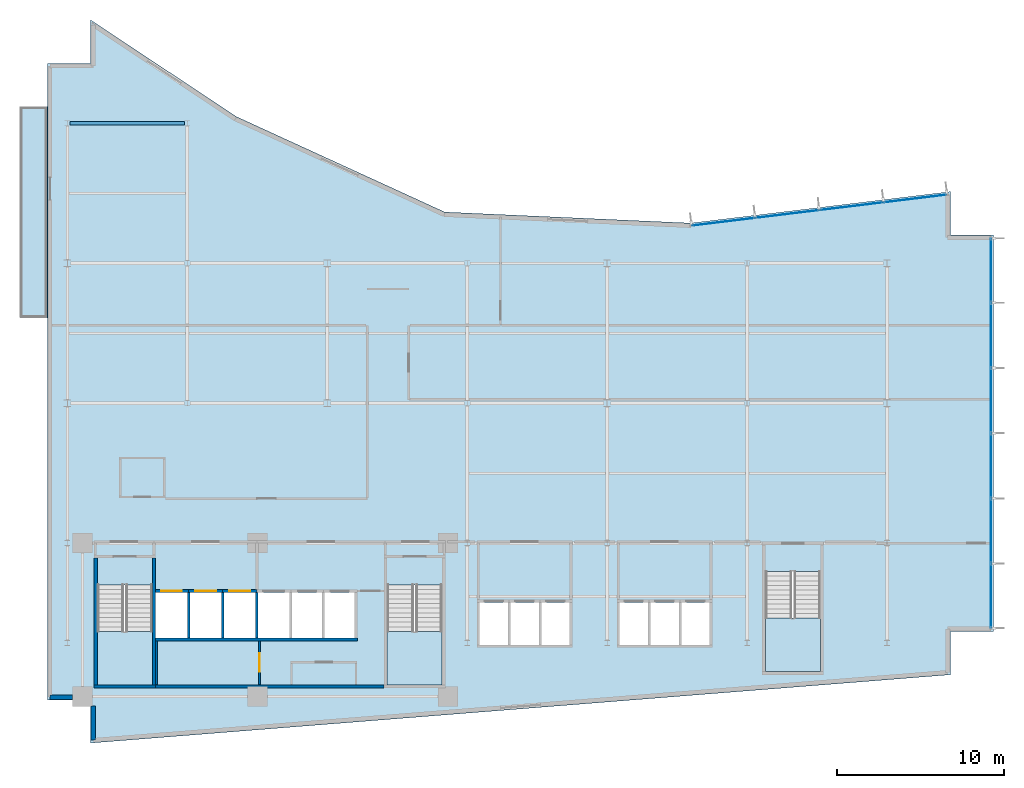
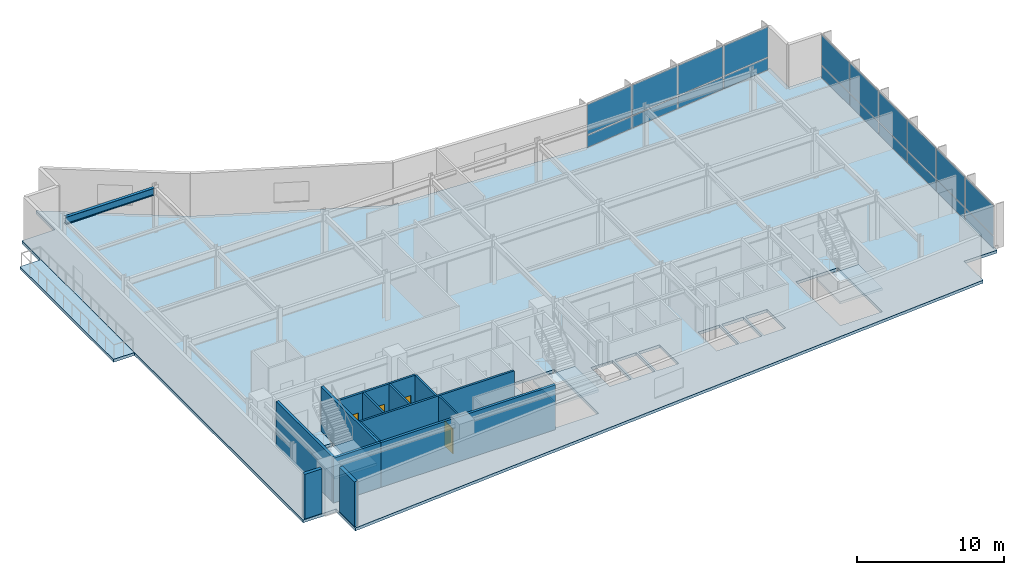
# One storey, part 9 of 17: 20 plates, 15 walls, 5 slabs, 4 doors, 1 beam, 4 openings, 5 elements without a shape of their own.
"""IFC4 building model written with IfcOpenShell, lengths in metres."""

from ifc_helpers import new_model, si_unit, direction, frame, frame_2d, origin, origin_2d, place, context, subcontext, project, spatial, polyline, rectangle, i_section, outline, extrude, material, layer, layer_set, material_profile, profile_set, type_object, element, fill, aggregate, save


model = new_model("IFC4")

# Units and contexts
model_context = context("Model", 3, precision=1e-05, world=origin(), true_north=direction((0.0, 1.0)))
body_context = subcontext(model_context, "Body", "Model", "MODEL_VIEW")
ifc_project = project(units=[si_unit("LENGTHUNIT", "METRE"), si_unit("AREAUNIT", "SQUARE_METRE"), si_unit("VOLUMEUNIT", "CUBIC_METRE"), si_unit("PLANEANGLEUNIT", "RADIAN"), si_unit("MASSUNIT", "GRAM", prefix="KILO")], contexts=[model_context])

# Site, building, storey
site_placement = place(None, origin())
site = spatial("IfcSite", under=ifc_project, at=site_placement, CompositionType="ELEMENT")
building_placement = place(site_placement, origin())
building = spatial("IfcBuilding", under=site, at=building_placement, Name="Varnakote Quay Hospital", CompositionType="ELEMENT")
storey_placement = place(building_placement, frame((0.0, 0.0, 103.35009765625)))
storey = spatial("IfcBuildingStorey", under=building, at=storey_placement, Name="L25", CompositionType="ELEMENT", Elevation=103.35009765625)

# Beam
ifc_material_1 = material(Name="Structural steel AS/NZS 3679.1 Grade 350 L0 (fy 340 MPa)", Category="steel")
ifc_material_profile = material_profile(ifc_material_1, i_section(OverallWidth=0.22802734375, OverallDepth=0.60205078125, WebThickness=0.010498046875, FlangeThickness=0.014892578125, FilletRadius=0.013916015625, at=origin_2d()), Name="610UB101")
ifc_profile_set = profile_set([ifc_material_profile], Name="Structural steel AS/NZS 3679.1 Grade 350 L0 (fy 340 MPa)")
beam_type = type_object("IfcBeamType", Name="BM-STL-610UB101", PredefinedType="BEAM", material=ifc_profile_set)
beam_placement = place(storey_placement, frame((1.3544921875, 37.199951171875, 3.408935546875), z_axis=(1.0, 0.0, 0.0), x_axis=(0.0, 1.0, 0.0)))
element("IfcBeam", 1, at=beam_placement, inside=storey, type_object=beam_type, Name="L25 Primary Floor Beam", PredefinedType="BEAM", context=body_context, shape_type="SweptSolid", body=[
    extrude(i_section(OverallWidth=0.22802734375, OverallDepth=0.60205078125, WebThickness=0.010498046875, FlangeThickness=0.014892578125, FilletRadius=0.013916015625, at=origin_2d()), origin(), (0.0, 0.0, 1.0), 6.89111328125),
])

# Curtain wall, plates
ifc_material_2 = material(Name="Anodised aluminium 6063-T6 Bronze", Category="aluminium")
ifc_layer_1 = layer(ifc_material_2, 0.205078125)
ifc_layer_set_1 = layer_set([ifc_layer_1], Name="Anodised aluminium 6063-T6 Bronze")
curtain_wall_type = type_object("IfcCurtainWallType", Name="CW-SYS-3", PredefinedType="NOTDEFINED", material=ifc_layer_set_1)
curtain_wall_1_placement = place(storey_placement, origin())
curtain_wall_1 = element("IfcCurtainWall", 2, at=curtain_wall_1_placement, inside=storey, type_object=curtain_wall_type, Name="L25 Unitised Bronze Curtain Wall 1", PredefinedType="NOTDEFINED")
ifc_material_3 = material(Name="Double-glazed low-E solar glass", Category="glass")
ifc_layer_2 = layer(ifc_material_3, 0.028076171875)
ifc_layer_set_2 = layer_set([ifc_layer_2], Name="Double-glazed low-E solar glass")
plate_type = type_object("IfcPlateType", Name="CW-PNL-GLZ-28", PredefinedType="CURTAIN_PANEL", material=ifc_layer_set_2)
plate_1_placement = place(storey_placement, frame((56.639892578125, 8.83544921875, 0.07470703125), z_axis=(0.0, 0.0, 1.0), x_axis=(0.0, 1.0, 0.0)))
plate_1 = element("IfcPlate", 3, at=plate_1_placement, type_object=plate_type, Name="-3-L25-1 panel 1.1", PredefinedType="CURTAIN_PANEL", context=body_context, shape_type="SweptSolid", body=[
    extrude(rectangle(XDim=3.80078125, YDim=0.028076171875, at=origin_2d()), origin(), (0.0, 0.0, 1.0), 0.987548828125),
])
plate_2_placement = place(storey_placement, frame((56.639892578125, 8.83544921875, 1.137451171875), z_axis=(0.0, 0.0, 1.0), x_axis=(0.0, 1.0, 0.0)))
plate_2 = element("IfcPlate", 4, at=plate_2_placement, type_object=plate_type, Name="-3-L25-1 panel 1.2", PredefinedType="CURTAIN_PANEL", context=body_context, shape_type="SweptSolid", body=[
    extrude(rectangle(XDim=3.80078125, YDim=0.028076171875, at=origin_2d()), origin(), (0.0, 0.0, 1.0), 2.49755859375),
])
plate_3_placement = place(storey_placement, frame((56.639892578125, 12.72998046875, 0.07470703125), z_axis=(0.0, 0.0, 1.0), x_axis=(0.0, 1.0, 0.0)))
plate_3 = element("IfcPlate", 5, at=plate_3_placement, type_object=plate_type, Name="-3-L25-1 panel 2.1", PredefinedType="CURTAIN_PANEL", context=body_context, shape_type="SweptSolid", body=[
    extrude(rectangle(XDim=3.83837890625, YDim=0.028076171875, at=origin_2d()), origin(), (0.0, 0.0, 1.0), 0.987548828125),
])
plate_4_placement = place(storey_placement, frame((56.639892578125, 12.72998046875, 1.137451171875), z_axis=(0.0, 0.0, 1.0), x_axis=(0.0, 1.0, 0.0)))
plate_4 = element("IfcPlate", 6, at=plate_4_placement, type_object=plate_type, Name="-3-L25-1 panel 2.2", PredefinedType="CURTAIN_PANEL", context=body_context, shape_type="SweptSolid", body=[
    extrude(rectangle(XDim=3.83837890625, YDim=0.028076171875, at=origin_2d()), origin(), (0.0, 0.0, 1.0), 2.49755859375),
])
plate_5_placement = place(storey_placement, frame((56.639892578125, 16.643310546875, 0.07470703125), z_axis=(0.0, 0.0, 1.0), x_axis=(0.0, 1.0, 0.0)))
plate_5 = element("IfcPlate", 7, at=plate_5_placement, type_object=plate_type, Name="-3-L25-1 panel 3.1", PredefinedType="CURTAIN_PANEL", context=body_context, shape_type="SweptSolid", body=[
    extrude(rectangle(XDim=3.83837890625, YDim=0.028076171875, at=origin_2d()), origin(), (0.0, 0.0, 1.0), 0.987548828125),
])
plate_6_placement = place(storey_placement, frame((56.639892578125, 16.643310546875, 1.137451171875), z_axis=(0.0, 0.0, 1.0), x_axis=(0.0, 1.0, 0.0)))
plate_6 = element("IfcPlate", 8, at=plate_6_placement, type_object=plate_type, Name="-3-L25-1 panel 3.2", PredefinedType="CURTAIN_PANEL", context=body_context, shape_type="SweptSolid", body=[
    extrude(rectangle(XDim=3.83837890625, YDim=0.028076171875, at=origin_2d()), origin(), (0.0, 0.0, 1.0), 2.49755859375),
])
plate_7_placement = place(storey_placement, frame((56.639892578125, 20.556640625, 0.07470703125), z_axis=(0.0, 0.0, 1.0), x_axis=(0.0, 1.0, 0.0)))
plate_7 = element("IfcPlate", 9, at=plate_7_placement, type_object=plate_type, Name="-3-L25-1 panel 4.1", PredefinedType="CURTAIN_PANEL", context=body_context, shape_type="SweptSolid", body=[
    extrude(rectangle(XDim=3.83837890625, YDim=0.028076171875, at=origin_2d()), origin(), (0.0, 0.0, 1.0), 0.987548828125),
])
plate_8_placement = place(storey_placement, frame((56.639892578125, 20.556640625, 1.137451171875), z_axis=(0.0, 0.0, 1.0), x_axis=(0.0, 1.0, 0.0)))
plate_8 = element("IfcPlate", 10, at=plate_8_placement, type_object=plate_type, Name="-3-L25-1 panel 4.2", PredefinedType="CURTAIN_PANEL", context=body_context, shape_type="SweptSolid", body=[
    extrude(rectangle(XDim=3.83837890625, YDim=0.028076171875, at=origin_2d()), origin(), (0.0, 0.0, 1.0), 2.49755859375),
])
plate_9_placement = place(storey_placement, frame((56.639892578125, 24.469970703125, 0.07470703125), z_axis=(0.0, 0.0, 1.0), x_axis=(0.0, 1.0, 0.0)))
plate_9 = element("IfcPlate", 11, at=plate_9_placement, type_object=plate_type, Name="-3-L25-1 panel 5.1", PredefinedType="CURTAIN_PANEL", context=body_context, shape_type="SweptSolid", body=[
    extrude(rectangle(XDim=3.83837890625, YDim=0.028076171875, at=origin_2d()), origin(), (0.0, 0.0, 1.0), 0.987548828125),
])
plate_10_placement = place(storey_placement, frame((56.639892578125, 24.469970703125, 1.137451171875), z_axis=(0.0, 0.0, 1.0), x_axis=(0.0, 1.0, 0.0)))
plate_10 = element("IfcPlate", 12, at=plate_10_placement, type_object=plate_type, Name="-3-L25-1 panel 5.2", PredefinedType="CURTAIN_PANEL", context=body_context, shape_type="SweptSolid", body=[
    extrude(rectangle(XDim=3.83837890625, YDim=0.028076171875, at=origin_2d()), origin(), (0.0, 0.0, 1.0), 2.49755859375),
])
plate_11_placement = place(storey_placement, frame((56.639892578125, 28.364501953125, 0.07470703125), z_axis=(0.0, 0.0, 1.0), x_axis=(0.0, 1.0, 0.0)))
plate_11 = element("IfcPlate", 13, at=plate_11_placement, type_object=plate_type, Name="-3-L25-1 panel 6.1", PredefinedType="CURTAIN_PANEL", context=body_context, shape_type="SweptSolid", body=[
    extrude(rectangle(XDim=3.80078125, YDim=0.028076171875, at=origin_2d()), origin(), (0.0, 0.0, 1.0), 0.987548828125),
])
plate_12_placement = place(storey_placement, frame((56.639892578125, 28.364501953125, 1.137451171875), z_axis=(0.0, 0.0, 1.0), x_axis=(0.0, 1.0, 0.0)))
plate_12 = element("IfcPlate", 14, at=plate_12_placement, type_object=plate_type, Name="-3-L25-1 panel 6.2", PredefinedType="CURTAIN_PANEL", context=body_context, shape_type="SweptSolid", body=[
    extrude(rectangle(XDim=3.80078125, YDim=0.028076171875, at=origin_2d()), origin(), (0.0, 0.0, 1.0), 2.49755859375),
])
aggregate(curtain_wall_1, [plate_1, plate_2, plate_3, plate_4, plate_5, plate_6, plate_7, plate_8, plate_9, plate_10, plate_11, plate_12])

curtain_wall_2_placement = place(storey_placement, origin())
curtain_wall_2 = element("IfcCurtainWall", 15, at=curtain_wall_2_placement, inside=storey, type_object=curtain_wall_type, Name="L25 Unitised Bronze Curtain Wall 2", PredefinedType="NOTDEFINED")
plate_13_placement = place(storey_placement, frame((52.09521484375, 32.68359375, 0.07470703125), z_axis=(0.0, 0.0, 1.0), x_axis=(-0.992734295067, -0.12032713492, 0.0)))
plate_13 = element("IfcPlate", 16, at=plate_13_placement, type_object=plate_type, Name="-3-L25-2 panel 1.1", PredefinedType="CURTAIN_PANEL", context=body_context, shape_type="SweptSolid", body=[
    extrude(rectangle(XDim=3.76806640625, YDim=0.028076171875, at=origin_2d()), origin(), (0.0, 0.0, 1.0), 0.987548828125),
])
plate_14_placement = place(storey_placement, frame((52.09521484375, 32.68359375, 1.137451171875), z_axis=(0.0, 0.0, 1.0), x_axis=(-0.992734295067, -0.12032713492, 0.0)))
plate_14 = element("IfcPlate", 17, at=plate_14_placement, type_object=plate_type, Name="-3-L25-2 panel 1.2", PredefinedType="CURTAIN_PANEL", context=body_context, shape_type="SweptSolid", body=[
    extrude(rectangle(XDim=3.76806640625, YDim=0.028076171875, at=origin_2d()), origin(), (0.0, 0.0, 1.0), 2.49755859375),
])
plate_15_placement = place(storey_placement, frame((48.26123046875, 32.218994140625, 0.07470703125), z_axis=(0.0, 0.0, 1.0), x_axis=(-0.992734295067, -0.12032713492, 0.0)))
plate_15 = element("IfcPlate", 18, at=plate_15_placement, type_object=plate_type, Name="-3-L25-2 panel 2.1", PredefinedType="CURTAIN_PANEL", context=body_context, shape_type="SweptSolid", body=[
    extrude(rectangle(XDim=3.8056640625, YDim=0.028076171875, at=origin_2d()), origin(), (0.0, 0.0, 1.0), 0.987548828125),
])
plate_16_placement = place(storey_placement, frame((48.26123046875, 32.218994140625, 1.137451171875), z_axis=(0.0, 0.0, 1.0), x_axis=(-0.992734295067, -0.12032713492, 0.0)))
plate_16 = element("IfcPlate", 19, at=plate_16_placement, type_object=plate_type, Name="-3-L25-2 panel 2.2", PredefinedType="CURTAIN_PANEL", context=body_context, shape_type="SweptSolid", body=[
    extrude(rectangle(XDim=3.8056640625, YDim=0.028076171875, at=origin_2d()), origin(), (0.0, 0.0, 1.0), 2.49755859375),
])
plate_17_placement = place(storey_placement, frame((44.40869140625, 31.751953125, 0.07470703125), z_axis=(0.0, 0.0, 1.0), x_axis=(-0.992734295067, -0.12032713492, 0.0)))
plate_17 = element("IfcPlate", 20, at=plate_17_placement, type_object=plate_type, Name="-3-L25-2 panel 3.1", PredefinedType="CURTAIN_PANEL", context=body_context, shape_type="SweptSolid", body=[
    extrude(rectangle(XDim=3.8056640625, YDim=0.028076171875, at=origin_2d()), origin(), (0.0, 0.0, 1.0), 0.987548828125),
])
plate_18_placement = place(storey_placement, frame((44.40869140625, 31.751953125, 1.137451171875), z_axis=(0.0, 0.0, 1.0), x_axis=(-0.992734295067, -0.12032713492, 0.0)))
plate_18 = element("IfcPlate", 21, at=plate_18_placement, type_object=plate_type, Name="-3-L25-2 panel 3.2", PredefinedType="CURTAIN_PANEL", context=body_context, shape_type="SweptSolid", body=[
    extrude(rectangle(XDim=3.8056640625, YDim=0.028076171875, at=origin_2d()), origin(), (0.0, 0.0, 1.0), 2.49755859375),
])
plate_19_placement = place(storey_placement, frame((40.574951171875, 31.287353515625, 0.07470703125), z_axis=(0.0, 0.0, 1.0), x_axis=(-0.992734295067, -0.12032713492, 0.0)))
plate_19 = element("IfcPlate", 22, at=plate_19_placement, type_object=plate_type, Name="-3-L25-2 panel 4.1", PredefinedType="CURTAIN_PANEL", context=body_context, shape_type="SweptSolid", body=[
    extrude(rectangle(XDim=3.76806640625, YDim=0.028076171875, at=origin_2d()), origin(), (0.0, 0.0, 1.0), 0.987548828125),
])
plate_20_placement = place(storey_placement, frame((40.574951171875, 31.287353515625, 1.137451171875), z_axis=(0.0, 0.0, 1.0), x_axis=(-0.992734295067, -0.12032713492, 0.0)))
plate_20 = element("IfcPlate", 23, at=plate_20_placement, type_object=plate_type, Name="-3-L25-2 panel 4.2", PredefinedType="CURTAIN_PANEL", context=body_context, shape_type="SweptSolid", body=[
    extrude(rectangle(XDim=3.76806640625, YDim=0.028076171875, at=origin_2d()), origin(), (0.0, 0.0, 1.0), 2.49755859375),
])
aggregate(curtain_wall_2, [plate_13, plate_14, plate_15, plate_16, plate_17, plate_18, plate_19, plate_20])

# Stair, slab
ifc_material_4 = material(Name="Concrete N40 (f'c 40 MPa)", Category="concrete")
stair_type = type_object("IfcStairType", Name="STR-CORE-1580", PredefinedType="HALF_TURN_STAIR", material=ifc_material_4)
stair_1_placement = place(storey_placement, origin())
stair_1 = element("IfcStair", 24, at=stair_1_placement, inside=storey, type_object=stair_type, Name="L25 Fire-Isolated Exit Stair ST-01", PredefinedType="HALF_TURN_STAIR")
ifc_material_5 = material(Name="Concrete N40 (f'c 40 MPa)", Category="concrete")
ifc_layer_3 = layer(ifc_material_5, 0.199951171875)
ifc_layer_set_3 = layer_set([ifc_layer_3], Name="Concrete N40 (f'c 40 MPa)")
slab_type_1 = type_object("IfcSlabType", Name="SLB-STAIR-LND-200", PredefinedType="LANDING", material=ifc_layer_set_3)
slab_1_placement = place(storey_placement, frame((0.0, 0.0, 1.77490234375)))
slab_1 = element("IfcSlab", 25, at=slab_1_placement, type_object=slab_type_1, Name="ST-01 landing 1", PredefinedType="LANDING", context=body_context, shape_type="SweptSolid", body=[
    extrude(outline(polyline([(3.0, 6.699951171875), (3.0, 3.5), (6.300048828125, 3.5), (6.300048828125, 6.699951171875), (3.0, 6.699951171875)])), origin(), (0.0, 0.0, 1.0), 0.199951171875),
])
aggregate(stair_1, [slab_1])

stair_2_placement = place(storey_placement, origin())
stair_2 = element("IfcStair", 26, at=stair_2_placement, inside=storey, type_object=stair_type, Name="L25 Fire-Isolated Exit Stair ST-02", PredefinedType="HALF_TURN_STAIR")
slab_2_placement = place(storey_placement, frame((0.0, 0.0, 1.77490234375)))
slab_2 = element("IfcSlab", 27, at=slab_2_placement, type_object=slab_type_1, Name="ST-02 landing 1", PredefinedType="LANDING", context=body_context, shape_type="SweptSolid", body=[
    extrude(outline(polyline([(20.39990234375, 6.699951171875), (20.39990234375, 3.5), (23.699951171875, 3.5), (23.699951171875, 6.699951171875), (20.39990234375, 6.699951171875)])), origin(), (0.0, 0.0, 1.0), 0.199951171875),
])
aggregate(stair_2, [slab_2])

stair_3_placement = place(storey_placement, origin())
stair_3 = element("IfcStair", 28, at=stair_3_placement, inside=storey, type_object=stair_type, Name="L25 Fire-Isolated Exit Stair ST-03", PredefinedType="HALF_TURN_STAIR")
slab_3_placement = place(storey_placement, frame((0.0, 0.0, 1.77490234375)))
slab_3 = element("IfcSlab", 29, at=slab_3_placement, type_object=slab_type_1, Name="ST-03 landing 1", PredefinedType="LANDING", context=body_context, shape_type="SweptSolid", body=[
    extrude(outline(polyline([(43.10009765625, 7.5), (43.10009765625, 4.300048828125), (46.39990234375, 4.300048828125), (46.39990234375, 7.5), (43.10009765625, 7.5)])), origin(), (0.0, 0.0, 1.0), 0.199951171875),
])
aggregate(stair_3, [slab_3])

# Slabs
ifc_material_6 = material(Name="Concrete N50 (f'c 50 MPa)", Category="concrete")
ifc_layer_4 = layer(ifc_material_6, 0.239990234375)
ifc_layer_set_4 = layer_set([ifc_layer_4], Name="Concrete N50 (f'c 50 MPa)")
slab_type_2 = type_object("IfcSlabType", Name="SLB-TERR-200", PredefinedType="FLOOR", material=ifc_layer_set_4)
slab_4_placement = place(storey_placement, frame((0.0, 0.0, -0.239990234375)))
element("IfcSlab", 30, at=slab_4_placement, inside=storey, type_object=slab_type_2, Name="L25 Waterfront Healing Terrace Slab", PredefinedType="FLOOR", context=body_context, shape_type="SweptSolid", body=[
    extrude(outline(polyline([(0.00390625, 25.5), (0.00390625, 38.199951171875), (-1.639892578125, 38.199951171875), (-1.639892578125, 25.5), (0.00390625, 25.5)])), origin(), (0.0, 0.0, 1.0), 0.239990234375),
])
ifc_material_7 = material(Name="Concrete N50 (f'c 50 MPa)", Category="concrete")
ifc_layer_5 = layer(ifc_material_7, 0.239990234375)
ifc_layer_set_5 = layer_set([ifc_layer_5], Name="Concrete N50 (f'c 50 MPa)")
slab_type_3 = type_object("IfcSlabType", Name="SLB-WARD-200", PredefinedType="FLOOR", material=ifc_layer_set_5)
slab_5_placement = place(storey_placement, frame((0.0, 0.0, -0.239990234375)))
element("IfcSlab", 31, at=slab_5_placement, inside=storey, type_object=slab_type_3, Name="L25 Primary Floor Slab", PredefinedType="FLOOR", context=body_context, shape_type="SweptSolid", body=[
    extrude(outline(polyline([(0.0, 2.60009765625), (2.60009765625, 2.60009765625), (2.60009765625, 0.0), (54.199951171875, 4.10009765625), (54.199951171875, 6.699951171875), (56.800048828125, 6.699951171875), (56.800048828125, 30.5), (54.199951171875, 30.5), (54.199951171875, 33.10009765625), (38.6240234375, 31.2119140625), (23.85595703125, 31.8740234375), (11.360107421875, 37.595947265625), (2.60009765625, 43.39990234375), (2.60009765625, 40.800048828125), (0.0, 40.800048828125), (0.0, 2.60009765625)]), holes=[polyline([(3.0, 3.5), (6.300048828125, 3.5), (6.300048828125, 9.49951171875), (3.0, 9.49951171875), (3.0, 3.5)]), polyline([(20.39990234375, 3.5), (23.699951171875, 3.5), (23.699951171875, 9.49951171875), (20.39990234375, 9.49951171875), (20.39990234375, 3.5)]), polyline([(43.10009765625, 4.300048828125), (46.39990234375, 4.300048828125), (46.39990234375, 10.29931640625), (43.10009765625, 10.29931640625), (43.10009765625, 4.300048828125)]), polyline([(6.5, 6.300048828125), (8.39990234375, 6.300048828125), (8.39990234375, 9.050048828125), (6.5, 9.050048828125), (6.5, 6.300048828125)]), polyline([(8.550048828125, 6.300048828125), (10.449951171875, 6.300048828125), (10.449951171875, 9.050048828125), (8.550048828125, 9.050048828125), (8.550048828125, 6.300048828125)]), polyline([(10.60009765625, 6.300048828125), (12.5, 6.300048828125), (12.5, 9.050048828125), (10.60009765625, 9.050048828125), (10.60009765625, 6.300048828125)]), polyline([(12.64990234375, 6.300048828125), (14.550048828125, 6.300048828125), (14.550048828125, 9.050048828125), (12.64990234375, 9.050048828125), (12.64990234375, 6.300048828125)]), polyline([(14.699951171875, 6.300048828125), (16.5, 6.300048828125), (16.5, 9.050048828125), (14.699951171875, 9.050048828125), (14.699951171875, 6.300048828125)]), polyline([(16.64990234375, 6.300048828125), (18.449951171875, 6.300048828125), (18.449951171875, 9.050048828125), (16.64990234375, 9.050048828125), (16.64990234375, 6.300048828125)]), polyline([(25.949951171875, 5.89990234375), (27.64990234375, 5.89990234375), (27.64990234375, 8.449951171875), (25.949951171875, 8.449951171875), (25.949951171875, 5.89990234375)]), polyline([(27.800048828125, 5.89990234375), (29.5, 5.89990234375), (29.5, 8.449951171875), (27.800048828125, 8.449951171875), (27.800048828125, 5.89990234375)]), polyline([(29.64990234375, 5.89990234375), (31.35009765625, 5.89990234375), (31.35009765625, 8.449951171875), (29.64990234375, 8.449951171875), (29.64990234375, 5.89990234375)]), polyline([(34.35009765625, 5.89990234375), (36.050048828125, 5.89990234375), (36.050048828125, 8.449951171875), (34.35009765625, 8.449951171875), (34.35009765625, 5.89990234375)]), polyline([(36.199951171875, 5.89990234375), (37.89990234375, 5.89990234375), (37.89990234375, 8.449951171875), (36.199951171875, 8.449951171875), (36.199951171875, 5.89990234375)]), polyline([(38.050048828125, 5.89990234375), (39.75, 5.89990234375), (39.75, 8.449951171875), (38.050048828125, 8.449951171875), (38.050048828125, 5.89990234375)])]), origin(), (0.0, 0.0, 1.0), 0.239990234375),
])

# Walls
ifc_material_8 = material(Name="Concrete N65 (f'c 65 MPa)", Category="concrete")
ifc_layer_6 = layer(ifc_material_8, 0.199951171875)
ifc_layer_set_6 = layer_set([ifc_layer_6], Name="Concrete N65 (f'c 65 MPa)")
wall_type_1 = type_object("IfcWallType", Name="WL-CORE-N65-200", PredefinedType="SHEAR", material=ifc_layer_set_6)
wall_1_placement = place(storey_placement, frame((6.5, 3.39990234375, 0.0), z_axis=(0.0, 0.0, 1.0), x_axis=(1.0, 0.0, 0.0)))
element("IfcWall", 32, at=wall_1_placement, inside=storey, type_object=wall_type_1, Name="L25 Rear Core South Shear Wall", PredefinedType="SHEAR", context=body_context, shape_type="SweptSolid", body=[
    extrude(rectangle(XDim=13.699951171875, YDim=0.199951171875, at=frame_2d((6.85009765625, 0.0))), origin(), (0.0, 0.0, 1.0), 3.7099609375),
])
ifc_material_9 = material(Name="Precast concrete N50 (f'c 50 MPa)", Category="concrete")
ifc_layer_7 = layer(ifc_material_9, 0.260009765625)
ifc_layer_set_7 = layer_set([ifc_layer_7], Name="Precast concrete N50 (f'c 50 MPa)")
wall_type_2 = type_object("IfcWallType", Name="WL-EXT-BRICK-260", PredefinedType="STANDARD", material=ifc_layer_set_7)
wall_2_placement = place(storey_placement, frame((2.760009765625, 2.215087890625, 0.0), z_axis=(0.0, 0.0, 1.0), x_axis=(0.0, -1.0, 0.0)))
element("IfcWall", 33, at=wall_2_placement, inside=storey, type_object=wall_type_2, Name="L25 Brick-Faced Precast Exterior Wall", PredefinedType="STANDARD", context=body_context, shape_type="SweptSolid", body=[
    extrude(rectangle(XDim=2.0419921875, YDim=0.260009765625, at=frame_2d((1.02099609375, 0.0))), origin(), (0.0, 0.0, 1.0), 3.7099609375),
])
wall_3_placement = place(storey_placement, frame((0.159912109375, 2.760009765625, 0.0), z_axis=(0.0, 0.0, 1.0), x_axis=(1.0, 0.0, 0.0)))
element("IfcWall", 34, at=wall_3_placement, inside=storey, type_object=wall_type_2, Name="L25 Brick-Faced Precast Exterior Wall", PredefinedType="STANDARD", context=body_context, shape_type="SweptSolid", body=[
    extrude(rectangle(XDim=1.35498046875, YDim=0.260009765625, at=frame_2d((0.677490234375, 0.0))), origin(), (0.0, 0.0, 1.0), 3.7099609375),
])
ifc_material_10 = material(Name="Concrete N50 (f'c 50 MPa)", Category="concrete")
ifc_layer_8 = layer(ifc_material_10, 0.14990234375)
ifc_layer_set_8 = layer_set([ifc_layer_8], Name="Concrete N50 (f'c 50 MPa)")
wall_type_3 = type_object("IfcWallType", Name="WL-SHAFT-N50-150", PredefinedType="SHEAR", material=ifc_layer_set_8)
for number, where, z_axis, x_axis, name in (
    (35, (8.47509765625, 6.300048828125, 0.0), (0.0, 0.0, 1.0), (0.0, 1.0, 0.0), "L25 LF-FF1 Hoistway Divider Wall"),
    (36, (10.52490234375, 6.300048828125, 0.0), (0.0, 0.0, 1.0), (0.0, 1.0, 0.0), "L25 LF-FF2 Hoistway Divider Wall"),
    (37, (12.574951171875, 6.300048828125, 0.0), (0.0, 0.0, 1.0), (0.0, 1.0, 0.0), "L25 LF-SV1 Hoistway Divider Wall"),
):
    element("IfcWall", number, at=place(storey_placement, frame(where, z_axis=z_axis, x_axis=x_axis)), inside=storey, type_object=wall_type_3, Name=name, PredefinedType="SHEAR", context=body_context, shape_type="SweptSolid", body=[
        extrude(rectangle(XDim=2.75, YDim=0.14990234375, at=frame_2d((1.375, 0.0))), origin(), (0.0, 0.0, 1.0), 3.7099609375),
    ])
ifc_material_11 = material(Name="Concrete N50 (f'c 50 MPa)", Category="concrete")
ifc_layer_9 = layer(ifc_material_11, 0.159912109375)
ifc_layer_set_9 = layer_set([ifc_layer_9], Name="Concrete N50 (f'c 50 MPa)")
wall_type_4 = type_object("IfcWallType", Name="WL-SHAFT-N50-160", PredefinedType="SHEAR", material=ifc_layer_set_9)
wall_4_placement = place(storey_placement, frame((6.5, 6.219970703125, 0.0), z_axis=(0.0, 0.0, 1.0), x_axis=(1.0, 0.0, 0.0)))
element("IfcWall", 38, at=wall_4_placement, inside=storey, type_object=wall_type_4, Name="L25 REAR Lift Bank Back Shear Wall", PredefinedType="SHEAR", context=body_context, shape_type="SweptSolid", body=[
    extrude(rectangle(XDim=12.110107421875, YDim=0.159912109375, at=frame_2d((6.05517578125, 0.0))), origin(), (0.0, 0.0, 1.0), 3.7099609375),
])

# Wall, opening, door
wall_5_placement = place(storey_placement, frame((6.5, 9.1298828125, 0.0), z_axis=(0.0, 0.0, 1.0), x_axis=(1.0, 0.0, 0.0)))
wall_5 = element("IfcWall", 39, at=wall_5_placement, inside=storey, type_object=wall_type_4, Name="L25 LF-FF1 Hoistway Front Wall", PredefinedType="SHEAR", context=body_context, shape_type="SweptSolid", body=[
    extrude(rectangle(XDim=1.97509765625, YDim=0.159912109375, at=frame_2d((0.987548828125, 0.0))), origin(), (0.0, 0.0, 1.0), 3.7099609375),
])
opening_1_placement = place(wall_5_placement, frame((0.324951171875, 0.0, 0.0)))
opening_1 = element("IfcOpeningElement", 40, at=opening_1_placement, cuts=wall_5, Name="Opening LD-FF1-L25", PredefinedType="OPENING", context=body_context, shape_type="SweptSolid", body=[
    extrude(rectangle(XDim=1.25, YDim=2.14990234375, at=frame_2d((0.625, 1.074951171875))), frame((0.0, 0.08984375, 0.0), z_axis=(0.0, -1.0, 0.0), x_axis=(1.0, 0.0, 0.0)), (0.0, 0.0, 1.0), 0.179931640625),
])
ifc_material_12 = material(Name="Stainless steel lift landing sliding door", Category="steel")
door_type_1 = type_object("IfcDoorType", Name="DR-LIFT-LD-1250x2150", OperationType="NOTDEFINED", PredefinedType="DOOR", material=ifc_material_12)
door_1_placement = place(opening_1_placement, origin())
door_1 = element("IfcDoor", 41, at=door_1_placement, inside=storey, type_object=door_type_1, Name="L25 LF-FF1 Lift Landing Sliding Door", OperationType="SLIDING_TO_LEFT", OverallHeight=2.14990234375, OverallWidth=1.25, PredefinedType="DOOR", context=body_context, shape_type="SweptSolid", body=[
    extrude(rectangle(XDim=1.25, YDim=2.14990234375, at=frame_2d((0.625, 1.074951171875))), frame((0.0, 0.02490234375, 0.0), z_axis=(0.0, -1.0, 0.0), x_axis=(1.0, 0.0, 0.0)), (0.0, 0.0, 1.0), 0.050048828125),
])
fill(opening_1, door_1)

wall_6_placement = place(storey_placement, frame((8.47509765625, 9.1298828125, 0.0), z_axis=(0.0, 0.0, 1.0), x_axis=(1.0, 0.0, 0.0)))
wall_6 = element("IfcWall", 42, at=wall_6_placement, inside=storey, type_object=wall_type_4, Name="L25 LF-FF2 Hoistway Front Wall", PredefinedType="SHEAR", context=body_context, shape_type="SweptSolid", body=[
    extrude(rectangle(XDim=2.0498046875, YDim=0.159912109375, at=frame_2d((1.02490234375, 0.0))), origin(), (0.0, 0.0, 1.0), 3.7099609375),
])
opening_2_placement = place(wall_6_placement, frame((0.39990234375, 0.0, 0.0)))
opening_2 = element("IfcOpeningElement", 43, at=opening_2_placement, cuts=wall_6, Name="Opening LD-FF2-L25", PredefinedType="OPENING", context=body_context, shape_type="SweptSolid", body=[
    extrude(rectangle(XDim=1.25, YDim=2.14990234375, at=frame_2d((0.625, 1.074951171875))), frame((0.0, 0.08984375, 0.0), z_axis=(0.0, -1.0, 0.0), x_axis=(1.0, 0.0, 0.0)), (0.0, 0.0, 1.0), 0.179931640625),
])
door_2_placement = place(opening_2_placement, origin())
door_2 = element("IfcDoor", 44, at=door_2_placement, inside=storey, type_object=door_type_1, Name="L25 LF-FF2 Lift Landing Sliding Door", OperationType="SLIDING_TO_LEFT", OverallHeight=2.14990234375, OverallWidth=1.25, PredefinedType="DOOR", context=body_context, shape_type="SweptSolid", body=[
    extrude(rectangle(XDim=1.25, YDim=2.14990234375, at=frame_2d((0.625, 1.074951171875))), frame((0.0, 0.02490234375, 0.0), z_axis=(0.0, -1.0, 0.0), x_axis=(1.0, 0.0, 0.0)), (0.0, 0.0, 1.0), 0.050048828125),
])
fill(opening_2, door_2)

wall_7_placement = place(storey_placement, frame((10.52490234375, 9.1298828125, 0.0), z_axis=(0.0, 0.0, 1.0), x_axis=(1.0, 0.0, 0.0)))
wall_7 = element("IfcWall", 45, at=wall_7_placement, inside=storey, type_object=wall_type_4, Name="L25 LF-SV1 Hoistway Front Wall", PredefinedType="SHEAR", context=body_context, shape_type="SweptSolid", body=[
    extrude(rectangle(XDim=2.050048828125, YDim=0.159912109375, at=frame_2d((1.02490234375, 0.0))), origin(), (0.0, 0.0, 1.0), 3.7099609375),
])
opening_3_placement = place(wall_7_placement, frame((0.39990234375, 0.0, 0.0)))
opening_3 = element("IfcOpeningElement", 46, at=opening_3_placement, cuts=wall_7, Name="Opening LD-SV1-L25", PredefinedType="OPENING", context=body_context, shape_type="SweptSolid", body=[
    extrude(rectangle(XDim=1.25, YDim=2.14990234375, at=frame_2d((0.625, 1.074951171875))), frame((0.0, 0.08984375, 0.0), z_axis=(0.0, -1.0, 0.0), x_axis=(1.0, 0.0, 0.0)), (0.0, 0.0, 1.0), 0.179931640625),
])
door_3_placement = place(opening_3_placement, origin())
door_3 = element("IfcDoor", 47, at=door_3_placement, inside=storey, type_object=door_type_1, Name="L25 LF-SV1 Lift Landing Sliding Door", OperationType="SLIDING_TO_LEFT", OverallHeight=2.14990234375, OverallWidth=1.25, PredefinedType="DOOR", context=body_context, shape_type="SweptSolid", body=[
    extrude(rectangle(XDim=1.25, YDim=2.14990234375, at=frame_2d((0.625, 1.074951171875))), frame((0.0, 0.02490234375, 0.0), z_axis=(0.0, -1.0, 0.0), x_axis=(1.0, 0.0, 0.0)), (0.0, 0.0, 1.0), 0.050048828125),
])
fill(opening_3, door_3)

# Walls
ifc_material_13 = material(Name="Concrete N50 (f'c 50 MPa)", Category="concrete")
ifc_layer_10 = layer(ifc_material_13, 0.199951171875)
ifc_layer_set_10 = layer_set([ifc_layer_10], Name="Concrete N50 (f'c 50 MPa)")
wall_type_5 = type_object("IfcWallType", Name="WL-SHAFT-N50-200", PredefinedType="SHEAR", material=ifc_layer_set_10)
wall_8_placement = place(storey_placement, frame((2.800048828125, 3.39990234375, 0.0), z_axis=(0.0, 0.0, 1.0), x_axis=(1.0, 0.0, 0.0)))
element("IfcWall", 48, at=wall_8_placement, inside=storey, type_object=wall_type_5, Name="L25 Stair ST1 South Shaft Wall", PredefinedType="SHEAR", context=body_context, shape_type="SweptSolid", body=[
    extrude(rectangle(XDim=3.699951171875, YDim=0.199951171875, at=frame_2d((1.85009765625, 0.0))), origin(), (0.0, 0.0, 1.0), 3.7099609375),
])
for number, where, z_axis, x_axis, name in (
    (49, (2.89990234375, 3.5, 0.0), (0.0, 0.0, 1.0), (0.0, 1.0, 0.0), "L25 Stair ST1 West Shaft Wall"),
    (50, (6.39990234375, 3.5, 0.0), (0.0, 0.0, 1.0), (0.0, 1.0, 0.0), "L25 Stair ST1 East Shaft Wall"),
):
    element("IfcWall", number, at=place(storey_placement, frame(where, z_axis=z_axis, x_axis=x_axis)), inside=storey, type_object=wall_type_5, Name=name, PredefinedType="SHEAR", context=body_context, shape_type="SweptSolid", body=[
        extrude(rectangle(XDim=7.60009765625, YDim=0.199951171875, at=frame_2d((3.800048828125, 0.0))), origin(), (0.0, 0.0, 1.0), 3.7099609375),
    ])
ifc_material_14 = material(Name="Smoke-proof clinical partition", Category="gypsum")
ifc_layer_11 = layer(ifc_material_14, 0.1201171875)
ifc_layer_set_11 = layer_set([ifc_layer_11], Name="Smoke-proof clinical partition")
wall_type_6 = type_object("IfcWallType", Name="WL-SMOKE-120", PredefinedType="PARTITIONING", material=ifc_layer_set_11)
wall_9_placement = place(storey_placement, frame((6.56005859375, 3.52001953125, 0.0), z_axis=(0.0, 0.0, 1.0), x_axis=(0.0, 1.0, 0.0)))
element("IfcWall", 51, at=wall_9_placement, inside=storey, type_object=wall_type_6, Name="L25 Core West Store West Wall", PredefinedType="PARTITIONING", context=body_context, shape_type="SweptSolid", body=[
    extrude(rectangle(XDim=2.619873046875, YDim=0.1201171875, at=frame_2d((1.31005859375, 0.0))), origin(), (0.0, 0.0, 1.0), 3.7099609375),
])

# Wall, opening, door
ifc_material_15 = material(Name="Fire-rated clinical gypsum partition", Category="gypsum")
ifc_layer_12 = layer(ifc_material_15, 0.139892578125)
ifc_layer_set_12 = layer_set([ifc_layer_12], Name="Fire-rated clinical gypsum partition")
wall_type_7 = type_object("IfcWallType", Name="WL-WARD-140", PredefinedType="PARTITIONING", material=ifc_layer_set_12)
wall_10_placement = place(storey_placement, frame((12.72998046875, 3.52001953125, 0.0), z_axis=(0.0, 0.0, 1.0), x_axis=(0.0, 1.0, 0.0)))
wall_10 = element("IfcWall", 52, at=wall_10_placement, inside=storey, type_object=wall_type_7, Name="L25 Core Clean Equipment Store East Wall", PredefinedType="PARTITIONING", context=body_context, shape_type="SweptSolid", body=[
    extrude(rectangle(XDim=2.619873046875, YDim=0.139892578125, at=frame_2d((1.31005859375, 0.0))), origin(), (0.0, 0.0, 1.0), 3.7099609375),
])
opening_4_placement = place(wall_10_placement, frame((0.760009765625, 0.0, 0.0)))
opening_4 = element("IfcOpeningElement", 53, at=opening_4_placement, cuts=wall_10, Name="Opening D-L25-CR01", PredefinedType="OPENING", context=body_context, shape_type="SweptSolid", body=[
    extrude(rectangle(XDim=1.10009765625, YDim=2.10009765625, at=frame_2d((0.550048828125, 1.050048828125))), frame((0.0, 0.079833984375, 0.0), z_axis=(0.0, -1.0, 0.0), x_axis=(1.0, 0.0, 0.0)), (0.0, 0.0, 1.0), 0.159912109375),
])
ifc_material_16 = material(Name="Acoustic timber clinical consult door", Category="wood")
door_type_2 = type_object("IfcDoorType", Name="DR-CLIN-FD30S-1100x2100", OperationType="NOTDEFINED", PredefinedType="DOOR", material=ifc_material_16)
door_4_placement = place(opening_4_placement, origin())
door_4 = element("IfcDoor", 54, at=door_4_placement, inside=storey, type_object=door_type_2, Name="L25 Core Clean Equipment Store Door", OperationType="SINGLE_SWING_RIGHT", OverallHeight=2.10009765625, OverallWidth=1.10009765625, PredefinedType="DOOR", context=body_context, shape_type="SweptSolid", body=[
    extrude(rectangle(XDim=1.10009765625, YDim=2.10009765625, at=frame_2d((0.550048828125, 1.050048828125))), frame((0.0, 0.02490234375, 0.0), z_axis=(0.0, -1.0, 0.0), x_axis=(1.0, 0.0, 0.0)), (0.0, 0.0, 1.0), 0.050048828125),
])
fill(opening_4, door_4)

save(model, "model.ifc")
